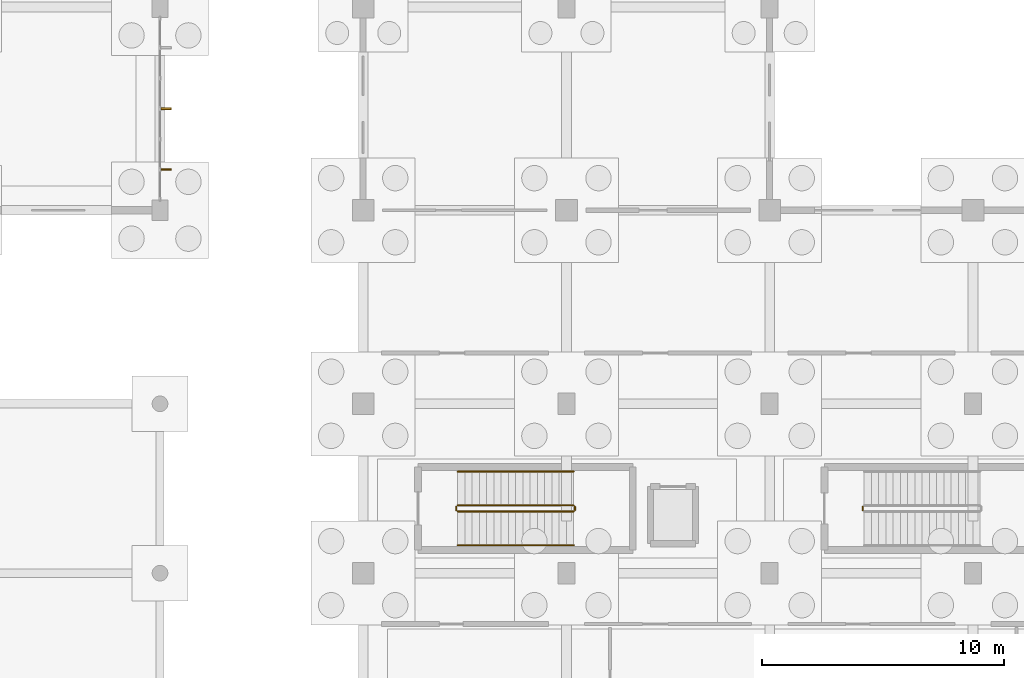
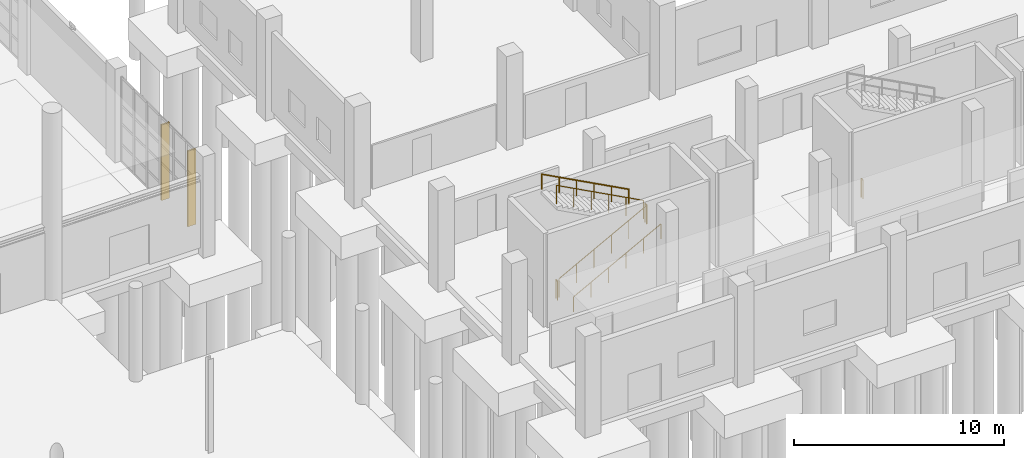
# One storey, part 64 of 83: 7 railings, 2 shading devices.
"""IFC4 building model written with IfcOpenShell, lengths in metres."""

import ifcopenshell
import ifcopenshell.guid

model = None  # the IFC model being written
_history = None  # IfcOwnerHistory: only IFC2X3 demands one
_inside = {}  # id of a spatial element -> (the spatial element, [elements in it])
_under = {}  # id of a project, library or spatial element -> (it, [spatial elements below it])
_declared = {}  # id of a project -> (the project, [libraries it declares])
_typed = {}  # id of a type object -> (the type object, [elements of that type])
_made_of = {}  # id of a material, layer set ... -> (it, [elements and type objects made of it])


def new_model(schema):
    """Start an empty IFC model of exactly this schema.

    Asked for "IFC4X3", IfcOpenShell would pick the latest addendum, in which some entities
    have other attributes; the version numbers below select the first issue.
    IFC2X3 requires an IfcOwnerHistory on every rooted entity: one is made here for all.
    """
    global model, _history
    if schema == "IFC4X3":
        model = ifcopenshell.file(schema_version=(4, 3, 0, 0))
    else:
        model = ifcopenshell.file(schema=schema)
    _inside.clear()
    _under.clear()
    _declared.clear()
    _typed.clear()
    _made_of.clear()
    _history = None
    if model.schema == "IFC2X3":
        org = make("IfcOrganization", Name="unknown")
        user = make(
            "IfcPersonAndOrganization",
            ThePerson=make("IfcPerson", FamilyName="unknown"),
            TheOrganization=org,
        )
        app = make(
            "IfcApplication",
            ApplicationDeveloper=org,
            Version="unknown",
            ApplicationFullName="unknown",
            ApplicationIdentifier="unknown",
        )
        _history = make(
            "IfcOwnerHistory",
            OwningUser=user,
            OwningApplication=app,
            ChangeAction="ADDED",
            CreationDate=0,
        )
    return model


def make(cls, **values):
    """One entity of the class cls with the attributes given. An attribute that is None is left unset."""
    return model.create_entity(
        cls, **{name: value for name, value in values.items() if value is not None}
    )


def rooted(cls, **values):
    """An entity with a GlobalId (a new one), such as an element, a storey or a relation."""
    return make(cls, GlobalId=ifcopenshell.guid.new(), OwnerHistory=_history, **values)


def si_unit(unit_type, name, prefix=None):
    """IfcSIUnit, for example si_unit("LENGTHUNIT", "METRE", prefix="MILLI")."""
    return make("IfcSIUnit", UnitType=unit_type, Prefix=prefix, Name=name)


def assignment(units):
    """IfcUnitAssignment: the units of a project."""
    return None if units is None else make("IfcUnitAssignment", Units=units)


def point(xyz):
    """IfcCartesianPoint."""
    return None if xyz is None else make("IfcCartesianPoint", Coordinates=xyz)


def direction(xyz):
    """IfcDirection."""
    return None if xyz is None else make("IfcDirection", DirectionRatios=xyz)


def frame(location, z_axis=None, x_axis=None):
    """IfcAxis2Placement3D, a coordinate frame: its origin and axes. An axis left out is left unset."""
    return make(
        "IfcAxis2Placement3D",
        Location=point(location),
        Axis=direction(z_axis),
        RefDirection=direction(x_axis),
    )


def frame_2d(location, x_axis=None):
    """IfcAxis2Placement2D, a coordinate frame in the plane: its origin and x axis."""
    return make(
        "IfcAxis2Placement2D", Location=point(location), RefDirection=direction(x_axis)
    )


def origin():
    """The frame at (0, 0, 0) with its axes left unset."""
    return frame((0.0, 0.0, 0.0))


def origin_2d():
    """The frame at (0, 0) in the plane with its x axis left unset."""
    return frame_2d((0.0, 0.0))


def place(relative_to, where):
    """IfcLocalPlacement: puts the frame where relative to a parent placement (None: the world)."""
    return make(
        "IfcLocalPlacement", PlacementRelTo=relative_to, RelativePlacement=where
    )


def context(
    kind, dimensions, precision=None, world=None, true_north=None, identifier=None
):
    """IfcGeometricRepresentationContext, for example the 3D "Model" context."""
    return make(
        "IfcGeometricRepresentationContext",
        ContextIdentifier=identifier,
        ContextType=kind,
        CoordinateSpaceDimension=dimensions,
        Precision=precision,
        WorldCoordinateSystem=world,
        TrueNorth=true_north,
    )


def subcontext(parent, identifier, kind, view, scale=None):
    """IfcGeometricRepresentationSubContext, for example "Body" below "Model"."""
    return make(
        "IfcGeometricRepresentationSubContext",
        ContextIdentifier=identifier,
        ContextType=kind,
        ParentContext=parent,
        TargetScale=scale,
        TargetView=view,
    )


def project(units=None, contexts=None):
    """IfcProject with its units and contexts."""
    return rooted(
        "IfcProject",
        Name="project",
        RepresentationContexts=contexts,
        UnitsInContext=assignment(units),
    )


def spatial(cls, under=None, at=None, **own):
    """A site, building, storey or space (cls), placed at a placement, below another one or the project."""
    s = rooted(cls, ObjectPlacement=at, **own)
    if under is not None:
        _under.setdefault(under.id(), (under, []))[1].append(s)
    return s


def profile(cls, at=None, kind="AREA", **sizes):
    """A parametric profile (cls). Its sizes go by their IFC names, for example OverallWidth=200.0."""
    return make(cls, ProfileType=kind, Position=at, **sizes)


def rectangle(**sizes):
    """IfcRectangleProfileDef."""
    return profile("IfcRectangleProfileDef", **sizes)


def circle(**sizes):
    """IfcCircleProfileDef."""
    return profile("IfcCircleProfileDef", **sizes)


def extrude(swept, where, along, depth):
    """IfcExtrudedAreaSolid: the profile swept, set in the frame where, extruded along a direction by depth."""
    return make(
        "IfcExtrudedAreaSolid",
        SweptArea=swept,
        Position=where,
        ExtrudedDirection=direction(along),
        Depth=depth,
    )


def shape(context_of_items, identifier, shape_type, items):
    """IfcShapeRepresentation: the items that make up one representation, for example the "Body"."""
    return make(
        "IfcShapeRepresentation",
        ContextOfItems=context_of_items,
        RepresentationIdentifier=identifier,
        RepresentationType=shape_type,
        Items=items,
    )


def material(Name=None, Category=None):
    """IfcMaterial."""
    return make("IfcMaterial", Name=Name, Category=Category)


def made_of(thing, what):
    """Note that an element or type object is made of a material, layer set ...; save() writes the relation."""
    if what is not None:
        _made_of.setdefault(what.id(), (what, []))[1].append(thing)
    return thing


def type_object(cls, material=None, **own):
    """A type object (cls), such as IfcWallType, which elements share."""
    return made_of(rooted(cls, **own), material)


def element(
    cls,
    number,
    at=None,
    inside=None,
    cuts=None,
    type_object=None,
    material=None,
    context=None,
    identifier="Body",
    shape_type=None,
    held_by="IfcProductDefinitionShape",
    body=None,
    shapes=None,
    **own,
):
    """One element of the class cls, such as IfcWall. Its Tag is "e" and its number.

    at: its placement. inside: the storey or other place that contains it. cuts: it is an
    opening in that element (IfcRelVoidsElement). A single representation is given by context,
    identifier, shape_type and body (its items); several are given by shapes. held_by: the class
    of the entity that holds the representations. save() writes the other relations.
    """
    e = rooted(cls, Tag="e%d" % number, ObjectPlacement=at, **own)
    if body is not None:
        shapes = [shape(context, identifier, shape_type, body)]
    if shapes is not None:
        e.Representation = make(held_by, Representations=shapes)
    if inside is not None:
        _inside.setdefault(inside.id(), (inside, []))[1].append(e)
    if cuts is not None:
        rooted(
            "IfcRelVoidsElement", RelatingBuildingElement=cuts, RelatedOpeningElement=e
        )
    if type_object is not None:
        _typed.setdefault(type_object.id(), (type_object, []))[1].append(e)
    return made_of(e, material)


def aggregate(whole, parts):
    """IfcRelAggregates: a whole, such as a stair, and the parts it consists of."""
    return rooted("IfcRelAggregates", RelatingObject=whole, RelatedObjects=parts)


def save(model, path):
    """Write the relations noted so far, then the file.

    IfcRelAggregates (storeys below a building ...), IfcRelContainedInSpatialStructure (elements
    in a storey), IfcRelDefinesByType, IfcRelAssociatesMaterial and IfcRelDeclares: one each for
    every whole, place, type object, material and project.
    """
    for whole, parts in _under.values():
        aggregate(whole, parts)
    for where, things in _inside.values():
        rooted(
            "IfcRelContainedInSpatialStructure",
            RelatedElements=things,
            RelatingStructure=where,
        )
    for kind, things in _typed.values():
        rooted("IfcRelDefinesByType", RelatedObjects=things, RelatingType=kind)
    for what, things in _made_of.values():
        rooted("IfcRelAssociatesMaterial", RelatedObjects=things, RelatingMaterial=what)
    for by, libraries in _declared.values():
        rooted("IfcRelDeclares", RelatingContext=by, RelatedDefinitions=libraries)
    model.write(path)


model = new_model("IFC4")

# Units and contexts
model_context = context("Model", 3, precision=1e-05, world=origin(), true_north=direction((0.0, 1.0)))
body_context = subcontext(model_context, "Body", "Model", "MODEL_VIEW")
ifc_project = project(units=[si_unit("LENGTHUNIT", "METRE"), si_unit("AREAUNIT", "SQUARE_METRE"), si_unit("VOLUMEUNIT", "CUBIC_METRE"), si_unit("PLANEANGLEUNIT", "RADIAN"), si_unit("MASSUNIT", "GRAM", prefix="KILO"), si_unit("THERMODYNAMICTEMPERATUREUNIT", "KELVIN"), si_unit("POWERUNIT", "WATT")], contexts=[model_context])

# Site, building, storey
site_placement = place(None, origin())
site = spatial("IfcSite", under=ifc_project, at=site_placement, CompositionType="ELEMENT")
building_placement = place(site_placement, origin())
building = spatial("IfcBuilding", under=site, at=building_placement, Name="Mavoryth Pier Ferry Terminal", CompositionType="ELEMENT")
storey_placement = place(building_placement, origin())
storey = spatial("IfcBuildingStorey", under=building, at=storey_placement, Name="L00", CompositionType="ELEMENT", Elevation=0.0)

# Shading devices
ifc_material_1 = material(Name="Anodised Aluminium Solar-Shading Fin", Category="aluminium")
shading_device_type = type_object("IfcShadingDeviceType", Name="Fin-BriseSoleil-450x80x4400", PredefinedType="SHUTTER", material=ifc_material_1)
for number, where, z_axis, x_axis, name in (
    (1, (33.84912109375, 23.683349609375, 0.0), (0.0, 0.0, 1.0), (0.0, 1.0, 0.0), "Solar Shading Fin 4"),
    (2, (33.84912109375, 26.199951171875, 0.0), (0.0, 0.0, 1.0), (0.0, 1.0, 0.0), "Solar Shading Fin 5"),
):
    element("IfcShadingDevice", number, at=place(storey_placement, frame(where, z_axis=z_axis, x_axis=x_axis)), inside=storey, type_object=shading_device_type, Name=name, PredefinedType="SHUTTER", context=body_context, shape_type="SweptSolid", body=[
        extrude(rectangle(XDim=0.080078125, YDim=0.449951171875, at=origin_2d()), origin(), (0.0, 0.0, 1.0), 4.39990234375),
    ])

# Railings
ifc_material_2 = material(Name="Painted Galvanised Steel Balustrade", Category="steel")
railing_type_1 = type_object("IfcRailingType", Name="Guard-Stair-Steel1100", PredefinedType="GUARDRAIL", material=ifc_material_2)
railing_1_placement = place(storey_placement, frame((45.89990234375, 9.550048828125, 0.159912109375)))
element("IfcRailing", 3, at=railing_1_placement, inside=storey, type_object=railing_type_1, Name="L00 ST11 stair guard 1", PredefinedType="GUARDRAIL", context=body_context, shape_type="SweptSolid", body=[
    extrude(circle(Radius=0.02392578125, at=origin_2d()), frame((0.0, 0.0, 1.076171875), z_axis=(0.882350456557, 0.0, 0.470592893925), x_axis=(0.0, 1.0, 0.0)), (0.0, 0.0, 1.0), 5.440185546875),
    extrude(circle(Radius=0.02099609375, at=origin_2d()), origin(), (0.0, 0.0, 1.0), 1.052001953125),
    extrude(circle(Radius=0.02099609375, at=origin_2d()), frame((0.9599609375, 0.0, 0.511962890625)), (0.0, 0.0, 1.0), 1.052001953125),
    extrude(circle(Radius=0.02099609375, at=origin_2d()), frame((1.919921875, 0.0, 1.02392578125)), (0.0, 0.0, 1.0), 1.052001953125),
    extrude(circle(Radius=0.02099609375, at=origin_2d()), frame((2.880126953125, 0.0, 1.5361328125)), (0.0, 0.0, 1.0), 1.052001953125),
    extrude(circle(Radius=0.02099609375, at=origin_2d()), frame((3.840087890625, 0.0, 2.048095703125)), (0.0, 0.0, 1.0), 1.052001953125),
    extrude(circle(Radius=0.02099609375, at=origin_2d()), frame((4.800048828125, 0.0, 2.56005859375)), (0.0, 0.0, 1.0), 1.052001953125),
])
railing_2_placement = place(storey_placement, frame((50.75, 9.60009765625, 2.719970703125)))
element("IfcRailing", 4, at=railing_2_placement, inside=storey, type_object=railing_type_1, Name="L00 ST11 stair guard 2", PredefinedType="GUARDRAIL", context=body_context, shape_type="SweptSolid", body=[
    extrude(circle(Radius=0.02392578125, at=origin_2d()), frame((0.0, 0.0, 1.076171875), z_axis=(0.0, 1.0, 0.0), x_axis=(-1.0, 0.0, 0.0)), (0.0, 0.0, 1.0), 0.14990234375),
    extrude(circle(Radius=0.02099609375, at=origin_2d()), origin(), (0.0, 0.0, 1.0), 1.052001953125),
    extrude(circle(Radius=0.02099609375, at=origin_2d()), frame((0.0, 0.14990234375, 0.0)), (0.0, 0.0, 1.0), 1.052001953125),
])
railing_3_placement = place(storey_placement, frame((50.699951171875, 9.800048828125, 2.8798828125)))
element("IfcRailing", 5, at=railing_3_placement, inside=storey, type_object=railing_type_1, Name="L00 ST11 stair guard 3", PredefinedType="GUARDRAIL", context=body_context, shape_type="SweptSolid", body=[
    extrude(circle(Radius=0.02392578125, at=origin_2d()), frame((0.0, 0.0, 1.076171875), z_axis=(-0.882350456557, 0.0, 0.470592893925), x_axis=(0.0, -1.0, 0.0)), (0.0, 0.0, 1.0), 5.440185546875),
    extrude(circle(Radius=0.02099609375, at=origin_2d()), origin(), (0.0, 0.0, 1.0), 1.052001953125),
    extrude(circle(Radius=0.02099609375, at=origin_2d()), frame((-0.9599609375, 0.0, 0.511962890625)), (0.0, 0.0, 1.0), 1.052001953125),
    extrude(circle(Radius=0.02099609375, at=origin_2d()), frame((-1.919921875, 0.0, 1.02392578125)), (0.0, 0.0, 1.0), 1.052001953125),
    extrude(circle(Radius=0.02099609375, at=origin_2d()), frame((-2.880126953125, 0.0, 1.5361328125)), (0.0, 0.0, 1.0), 1.052001953125),
    extrude(circle(Radius=0.02099609375, at=origin_2d()), frame((-3.840087890625, 0.0, 2.048095703125)), (0.0, 0.0, 1.0), 1.052001953125),
    extrude(circle(Radius=0.02099609375, at=origin_2d()), frame((-4.800048828125, 0.0, 2.56005859375)), (0.0, 0.0, 1.0), 1.052001953125),
])
for number, where, name in (
    (6, (45.85009765625, 9.60009765625, 0.0), "L00 ST11 stair guard 4"),
    (7, (62.64990234375, 9.60009765625, 0.0), "L00 ST12 stair guard 4"),
):
    element("IfcRailing", number, at=place(storey_placement, frame(where)), inside=storey, type_object=railing_type_1, Name=name, PredefinedType="GUARDRAIL", context=body_context, shape_type="SweptSolid", body=[
        extrude(circle(Radius=0.02392578125, at=origin_2d()), frame((0.0, 0.0, 1.076171875), z_axis=(0.0, 1.0, 0.0), x_axis=(-1.0, 0.0, 0.0)), (0.0, 0.0, 1.0), 0.14990234375),
        extrude(circle(Radius=0.02099609375, at=origin_2d()), origin(), (0.0, 0.0, 1.0), 1.052001953125),
        extrude(circle(Radius=0.02099609375, at=origin_2d()), frame((0.0, 0.14990234375, 0.0)), (0.0, 0.0, 1.0), 1.052001953125),
    ])
ifc_material_3 = material(Name="Brushed Stainless Steel Tubular Handrail", Category="steel")
railing_type_2 = type_object("IfcRailingType", Name="Handrail-Stair-SS900", PredefinedType="HANDRAIL", material=ifc_material_3)
railing_4_placement = place(storey_placement, frame((45.89990234375, 8.14990234375, 0.159912109375)))
element("IfcRailing", 8, at=railing_4_placement, inside=storey, type_object=railing_type_2, Name="L00 ST11 stair handrail 1", PredefinedType="HANDRAIL", context=body_context, shape_type="SweptSolid", body=[
    extrude(circle(Radius=0.02392578125, at=origin_2d()), frame((0.0, 0.0, 0.8759765625), z_axis=(0.882350456557, 0.0, 0.470592893925), x_axis=(0.0, 1.0, 0.0)), (0.0, 0.0, 1.0), 5.440185546875),
    extrude(circle(Radius=0.02099609375, at=origin_2d()), origin(), (0.0, 0.0, 1.0), 0.851806640625),
    extrude(circle(Radius=0.02099609375, at=origin_2d()), frame((0.9599609375, 0.0, 0.511962890625)), (0.0, 0.0, 1.0), 0.851806640625),
    extrude(circle(Radius=0.02099609375, at=origin_2d()), frame((1.919921875, 0.0, 1.02392578125)), (0.0, 0.0, 1.0), 0.851806640625),
    extrude(circle(Radius=0.02099609375, at=origin_2d()), frame((2.880126953125, 0.0, 1.5361328125)), (0.0, 0.0, 1.0), 0.851806640625),
    extrude(circle(Radius=0.02099609375, at=origin_2d()), frame((3.840087890625, 0.0, 2.048095703125)), (0.0, 0.0, 1.0), 0.851806640625),
    extrude(circle(Radius=0.02099609375, at=origin_2d()), frame((4.800048828125, 0.0, 2.56005859375)), (0.0, 0.0, 1.0), 0.851806640625),
])
railing_5_placement = place(storey_placement, frame((50.699951171875, 11.199951171875, 2.8798828125)))
element("IfcRailing", 9, at=railing_5_placement, inside=storey, type_object=railing_type_2, Name="L00 ST11 stair handrail 2", PredefinedType="HANDRAIL", context=body_context, shape_type="SweptSolid", body=[
    extrude(circle(Radius=0.02392578125, at=origin_2d()), frame((0.0, 0.0, 0.8759765625), z_axis=(-0.882350456557, 0.0, 0.470592893925), x_axis=(0.0, -1.0, 0.0)), (0.0, 0.0, 1.0), 5.440185546875),
    extrude(circle(Radius=0.02099609375, at=origin_2d()), origin(), (0.0, 0.0, 1.0), 0.851806640625),
    extrude(circle(Radius=0.02099609375, at=origin_2d()), frame((-0.9599609375, 0.0, 0.511962890625)), (0.0, 0.0, 1.0), 0.851806640625),
    extrude(circle(Radius=0.02099609375, at=origin_2d()), frame((-1.919921875, 0.0, 1.02392578125)), (0.0, 0.0, 1.0), 0.851806640625),
    extrude(circle(Radius=0.02099609375, at=origin_2d()), frame((-2.880126953125, 0.0, 1.5361328125)), (0.0, 0.0, 1.0), 0.851806640625),
    extrude(circle(Radius=0.02099609375, at=origin_2d()), frame((-3.840087890625, 0.0, 2.048095703125)), (0.0, 0.0, 1.0), 0.851806640625),
    extrude(circle(Radius=0.02099609375, at=origin_2d()), frame((-4.800048828125, 0.0, 2.56005859375)), (0.0, 0.0, 1.0), 0.851806640625),
])

save(model, "model.ifc")
